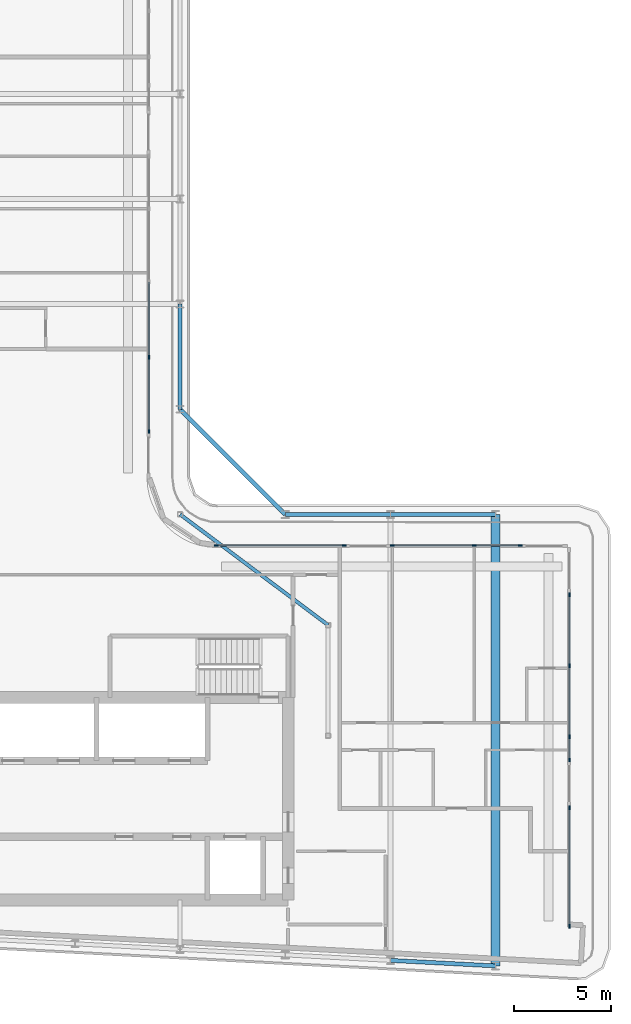
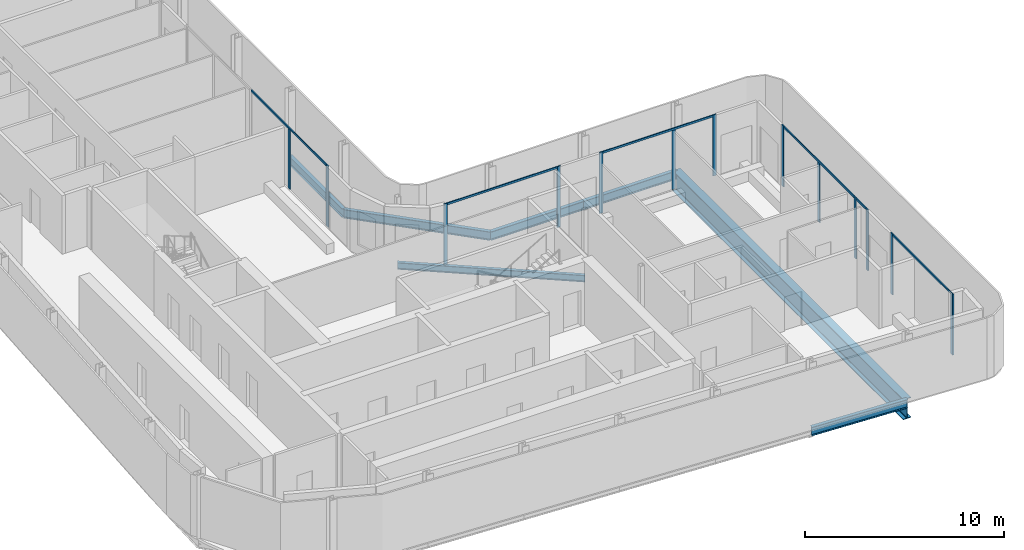
# One storey, part 6 of 21: 19 members, 7 beams, 6 elements without a shape of their own.
"""IFC4 building model written with IfcOpenShell, lengths in metres."""

from ifc_helpers import new_model, si_unit, direction, frame, origin, origin_2d, place, context, subcontext, project, spatial, rectangle, i_section, extrude, material, layer, layer_set, material_profile, profile_set, type_object, element, aggregate, save


model = new_model("IFC4")

# Units and contexts
model_context = context("Model", 3, precision=1e-05, world=origin(), true_north=direction((0.0, 1.0)))
body_context = subcontext(model_context, "Body", "Model", "MODEL_VIEW")
ifc_project = project(units=[si_unit("LENGTHUNIT", "METRE"), si_unit("AREAUNIT", "SQUARE_METRE"), si_unit("VOLUMEUNIT", "CUBIC_METRE"), si_unit("PLANEANGLEUNIT", "RADIAN"), si_unit("MASSUNIT", "GRAM", prefix="KILO")], contexts=[model_context])

# Site, building, storey
site_placement = place(None, origin())
site = spatial("IfcSite", under=ifc_project, at=site_placement, CompositionType="ELEMENT")
building_placement = place(site_placement, origin())
building = spatial("IfcBuilding", under=site, at=building_placement, Name="Kheshtan School and Residences Tower", CompositionType="ELEMENT")
storey_placement = place(building_placement, frame((0.0, 0.0, 309.800048828125)))
storey = spatial("IfcBuildingStorey", under=building, at=storey_placement, Name="L73", CompositionType="ELEMENT", Elevation=309.800048828125)

# Beams
ifc_material_1 = material(Name="Steel ASTM A992 Grade 50", Category="steel")
ifc_material_profile_1 = material_profile(ifc_material_1, i_section(OverallWidth=0.180908203125, OverallDepth=0.4169921875, WebThickness=0.010986328125, FlangeThickness=0.018310546875, FilletRadius=0.012451171875, at=origin_2d()), Name="W410x85")
ifc_profile_set_1 = profile_set([ifc_material_profile_1], Name="Steel ASTM A992 Grade 50")
beam_type_1 = type_object("IfcBeamType", Name="Beam FB3 W410x85 ASTM A992 Grade 50", PredefinedType="BEAM", material=ifc_profile_set_1)
beam_1_placement = place(storey_placement, frame((47.60009765625, 45.60009765625, -0.358642578125), z_axis=(0.800798828004, -0.598933416222, 0.0), x_axis=(0.598933416222, 0.800798828004, 0.0)))
element("IfcBeam", 1, at=beam_1_placement, inside=storey, type_object=beam_type_1, Name="Floor beam IC", PredefinedType="BEAM", context=body_context, shape_type="SweptSolid", body=[
    extrude(i_section(OverallWidth=0.180908203125, OverallDepth=0.4169921875, WebThickness=0.010986328125, FlangeThickness=0.018310546875, FilletRadius=0.012451171875, at=origin_2d()), origin(), (0.0, 0.0, 1.0), 9.490234375),
])
ifc_material_profile_2 = material_profile(ifc_material_1, i_section(OverallWidth=0.208984375, OverallDepth=0.532958984375, WebThickness=0.01025390625, FlangeThickness=0.015625, FilletRadius=0.013916015625, at=origin_2d()), Name="W530x92")
ifc_profile_set_2 = profile_set([ifc_material_profile_2], Name="Steel ASTM A992 Grade 50")
beam_type_2 = type_object("IfcBeamType", Name="Beam SP3 W530x92 ASTM A992 Grade 50", PredefinedType="BEAM", material=ifc_profile_set_2)
beam_2_placement = place(storey_placement, frame((47.60009765625, 56.39990234375, -0.41650390625), z_axis=(0.0, -1.0, 0.0), x_axis=(1.0, 0.0, 0.0)))
element("IfcBeam", 2, at=beam_2_placement, inside=storey, type_object=beam_type_2, Name="Spandrel beam C081-C079", PredefinedType="BEAM", context=body_context, shape_type="SweptSolid", body=[
    extrude(i_section(OverallWidth=0.208984375, OverallDepth=0.532958984375, WebThickness=0.01025390625, FlangeThickness=0.015625, FilletRadius=0.013916015625, at=origin_2d()), origin(), (0.0, 0.0, 1.0), 5.39990234375),
])
beam_3_placement = place(storey_placement, frame((47.60009765625, 51.0, -0.41650390625), z_axis=(0.707106781187, -0.707106781187, 0.0), x_axis=(0.707106781187, 0.707106781187, 0.0)))
element("IfcBeam", 3, at=beam_3_placement, inside=storey, type_object=beam_type_2, Name="Spandrel beam C079-C061", PredefinedType="BEAM", context=body_context, shape_type="SweptSolid", body=[
    extrude(i_section(OverallWidth=0.208984375, OverallDepth=0.532958984375, WebThickness=0.01025390625, FlangeThickness=0.015625, FilletRadius=0.013916015625, at=origin_2d()), origin(), (0.0, 0.0, 1.0), 7.63671875),
])
beam_4_placement = place(storey_placement, frame((53.0, 45.60009765625, -0.41650390625), z_axis=(1.0, 0.0, 0.0), x_axis=(0.0, 1.0, 0.0)))
element("IfcBeam", 4, at=beam_4_placement, inside=storey, type_object=beam_type_2, Name="Spandrel beam C061-C062", PredefinedType="BEAM", context=body_context, shape_type="SweptSolid", body=[
    extrude(i_section(OverallWidth=0.208984375, OverallDepth=0.532958984375, WebThickness=0.01025390625, FlangeThickness=0.015625, FilletRadius=0.013916015625, at=origin_2d()), origin(), (0.0, 0.0, 1.0), 5.39990234375),
])
beam_5_placement = place(storey_placement, frame((58.39990234375, 45.60009765625, -0.41650390625), z_axis=(1.0, 0.0, 0.0), x_axis=(0.0, 1.0, 0.0)))
element("IfcBeam", 5, at=beam_5_placement, inside=storey, type_object=beam_type_2, Name="Spandrel beam C062-C063", PredefinedType="BEAM", context=body_context, shape_type="SweptSolid", body=[
    extrude(i_section(OverallWidth=0.208984375, OverallDepth=0.532958984375, WebThickness=0.01025390625, FlangeThickness=0.015625, FilletRadius=0.013916015625, at=origin_2d()), origin(), (0.0, 0.0, 1.0), 5.400146484375),
])
beam_6_placement = place(storey_placement, frame((63.800048828125, 22.410888671875, -0.41650390625), z_axis=(-0.998618203458, 0.052551724256, 0.0), x_axis=(-0.052551724256, -0.998618203458, 0.0)))
element("IfcBeam", 6, at=beam_6_placement, inside=storey, type_object=beam_type_2, Name="Spandrel beam C016-C018", PredefinedType="BEAM", context=body_context, shape_type="SweptSolid", body=[
    extrude(i_section(OverallWidth=0.208984375, OverallDepth=0.532958984375, WebThickness=0.01025390625, FlangeThickness=0.015625, FilletRadius=0.013916015625, at=origin_2d()), origin(), (0.0, 0.0, 1.0), 5.40771484375),
])

# Curtain wall, members
ifc_material_2 = material(Name="Clear low-e glass in thermally broken aluminium frame", Category="aluminium")
ifc_layer = layer(ifc_material_2, 0.199951171875)
ifc_layer_set = layer_set([ifc_layer], Name="Curtain wall CW-L")
curtain_wall_type = type_object("IfcCurtainWallType", Name="Curtain wall CW-L", PredefinedType="NOTDEFINED", material=ifc_layer_set)
curtain_wall_1_placement = place(storey_placement, origin())
curtain_wall_1 = element("IfcCurtainWall", 7, at=curtain_wall_1_placement, inside=storey, type_object=curtain_wall_type, Name="Curtain wall CWL8", PredefinedType="NOTDEFINED")
ifc_material_3 = material(Name="Thermally broken aluminium, dark bronze anodised", Category="aluminium")
ifc_material_profile_3 = material_profile(ifc_material_3, rectangle(XDim=0.06005859375, YDim=0.199951171875, at=origin_2d()), Name="CW-L mullion 60x200")
ifc_profile_set_3 = profile_set([ifc_material_profile_3], Name="Thermally broken aluminium, dark bronze anodised")
member_type_1 = type_object("IfcMemberType", Name="CW-L mullion 60x200", PredefinedType="MULLION", material=ifc_profile_set_3)
member_1_placement = place(storey_placement, frame((46.0, 53.677001953125, 0.0), z_axis=(0.0, 0.0, 1.0), x_axis=(1.0, 0.0, 0.0)))
member_1 = element("IfcMember", 8, at=member_1_placement, type_object=member_type_1, Name="CWL8 mullion 2", PredefinedType="MULLION", context=body_context, shape_type="SweptSolid", body=[
    extrude(rectangle(XDim=0.06005859375, YDim=0.199951171875, at=origin_2d()), origin(), (0.0, 0.0, 1.0), 3.6298828125),
])
member_2_placement = place(storey_placement, frame((46.0, 49.860107421875, 0.0), z_axis=(0.0, 0.0, 1.0), x_axis=(1.0, 0.0, 0.0)))
member_2 = element("IfcMember", 9, at=member_2_placement, type_object=member_type_1, Name="CWL8 mullion 3", PredefinedType="MULLION", context=body_context, shape_type="SweptSolid", body=[
    extrude(rectangle(XDim=0.06005859375, YDim=0.199951171875, at=origin_2d()), origin(), (0.0, 0.0, 1.0), 3.75),
])

curtain_wall_2_placement = place(storey_placement, origin())
curtain_wall_2 = element("IfcCurtainWall", 10, at=curtain_wall_2_placement, inside=storey, type_object=curtain_wall_type, Name="Curtain wall CWL1233", PredefinedType="NOTDEFINED")
member_3_placement = place(storey_placement, frame((49.4599609375, 44.0, 0.0), z_axis=(0.0, 0.0, 1.0), x_axis=(0.0, 1.0, 0.0)))
member_3 = element("IfcMember", 11, at=member_3_placement, type_object=member_type_1, Name="CWL1233 mullion 1", PredefinedType="MULLION", context=body_context, shape_type="SweptSolid", body=[
    extrude(rectangle(XDim=0.06005859375, YDim=0.199951171875, at=origin_2d()), origin(), (0.0, 0.0, 1.0), 3.75),
])
member_4_placement = place(storey_placement, frame((56.034912109375, 44.0, 0.0), z_axis=(0.0, 0.0, 1.0), x_axis=(0.0, 1.0, 0.0)))
member_4 = element("IfcMember", 12, at=member_4_placement, type_object=member_type_1, Name="CWL1233 mullion 2", PredefinedType="MULLION", context=body_context, shape_type="SweptSolid", body=[
    extrude(rectangle(XDim=0.06005859375, YDim=0.199951171875, at=origin_2d()), origin(), (0.0, 0.0, 1.0), 3.75),
])

curtain_wall_3_placement = place(storey_placement, origin())
curtain_wall_3 = element("IfcCurtainWall", 13, at=curtain_wall_3_placement, inside=storey, type_object=curtain_wall_type, Name="Curtain wall CWL1234", PredefinedType="NOTDEFINED")
member_5_placement = place(storey_placement, frame((58.4951171875, 44.0, 0.0), z_axis=(0.0, 0.0, 1.0), x_axis=(0.0, 1.0, 0.0)))
member_5 = element("IfcMember", 14, at=member_5_placement, type_object=member_type_1, Name="CWL1234 mullion 1", PredefinedType="MULLION", context=body_context, shape_type="SweptSolid", body=[
    extrude(rectangle(XDim=0.06005859375, YDim=0.199951171875, at=origin_2d()), origin(), (0.0, 0.0, 1.0), 3.75),
])
member_6_placement = place(storey_placement, frame((62.699951171875, 44.0, 0.0), z_axis=(0.0, 0.0, 1.0), x_axis=(0.0, 1.0, 0.0)))
member_6 = element("IfcMember", 15, at=member_6_placement, type_object=member_type_1, Name="CWL1234 mullion 2", PredefinedType="MULLION", context=body_context, shape_type="SweptSolid", body=[
    extrude(rectangle(XDim=0.06005859375, YDim=0.199951171875, at=origin_2d()), origin(), (0.0, 0.0, 1.0), 3.6298828125),
])
member_7_placement = place(storey_placement, frame((65.070068359375, 44.0, 0.0), z_axis=(0.0, 0.0, 1.0), x_axis=(0.0, 1.0, 0.0)))
member_7 = element("IfcMember", 16, at=member_7_placement, type_object=member_type_1, Name="CWL1234 mullion 3", PredefinedType="MULLION", context=body_context, shape_type="SweptSolid", body=[
    extrude(rectangle(XDim=0.06005859375, YDim=0.199951171875, at=origin_2d()), origin(), (0.0, 0.0, 1.0), 3.75),
])

curtain_wall_4_placement = place(storey_placement, origin())
curtain_wall_4 = element("IfcCurtainWall", 17, at=curtain_wall_4_placement, inside=storey, type_object=curtain_wall_type, Name="Curtain wall CWL13e", PredefinedType="NOTDEFINED")
member_8_placement = place(storey_placement, frame((67.60009765625, 41.469970703125, 0.0), z_axis=(0.0, 0.0, 1.0), x_axis=(1.0, 0.0, 0.0)))
member_8 = element("IfcMember", 18, at=member_8_placement, type_object=member_type_1, Name="CWL13e mullion 1", PredefinedType="MULLION", context=body_context, shape_type="SweptSolid", body=[
    extrude(rectangle(XDim=0.06005859375, YDim=0.199951171875, at=origin_2d()), origin(), (0.0, 0.0, 1.0), 3.75),
])
member_9_placement = place(storey_placement, frame((67.60009765625, 37.829833984375, 0.0), z_axis=(0.0, 0.0, 1.0), x_axis=(1.0, 0.0, 0.0)))
member_9 = element("IfcMember", 19, at=member_9_placement, type_object=member_type_1, Name="CWL13e mullion 2", PredefinedType="MULLION", context=body_context, shape_type="SweptSolid", body=[
    extrude(rectangle(XDim=0.06005859375, YDim=0.199951171875, at=origin_2d()), origin(), (0.0, 0.0, 1.0), 3.6298828125),
])
member_10_placement = place(storey_placement, frame((67.60009765625, 34.189453125, 0.0), z_axis=(0.0, 0.0, 1.0), x_axis=(1.0, 0.0, 0.0)))
member_10 = element("IfcMember", 20, at=member_10_placement, type_object=member_type_1, Name="CWL13e mullion 3", PredefinedType="MULLION", context=body_context, shape_type="SweptSolid", body=[
    extrude(rectangle(XDim=0.06005859375, YDim=0.199951171875, at=origin_2d()), origin(), (0.0, 0.0, 1.0), 3.75),
])

# Curtain wall, member
curtain_wall_5_placement = place(storey_placement, origin())
curtain_wall_5 = element("IfcCurtainWall", 21, at=curtain_wall_5_placement, inside=storey, type_object=curtain_wall_type, Name="Curtain wall CWL13f", PredefinedType="NOTDEFINED")
member_11_placement = place(storey_placement, frame((67.60009765625, 32.989501953125, 0.0), z_axis=(0.0, 0.0, 1.0), x_axis=(1.0, 0.0, 0.0)))
member_11 = element("IfcMember", 22, at=member_11_placement, type_object=member_type_1, Name="CWL13f mullion 2", PredefinedType="MULLION", context=body_context, shape_type="SweptSolid", body=[
    extrude(rectangle(XDim=0.06005859375, YDim=0.199951171875, at=origin_2d()), origin(), (0.0, 0.0, 1.0), 3.75),
])

# Curtain wall, members
curtain_wall_6_placement = place(storey_placement, origin())
curtain_wall_6 = element("IfcCurtainWall", 23, at=curtain_wall_6_placement, inside=storey, type_object=curtain_wall_type, Name="Curtain wall CWL13g", PredefinedType="NOTDEFINED")
member_12_placement = place(storey_placement, frame((67.60009765625, 30.529541015625, 0.0), z_axis=(0.0, 0.0, 1.0), x_axis=(1.0, 0.0, 0.0)))
member_12 = element("IfcMember", 24, at=member_12_placement, type_object=member_type_1, Name="CWL13g mullion 1", PredefinedType="MULLION", context=body_context, shape_type="SweptSolid", body=[
    extrude(rectangle(XDim=0.06005859375, YDim=0.199951171875, at=origin_2d()), origin(), (0.0, 0.0, 1.0), 3.75),
])
member_13_placement = place(storey_placement, frame((67.60009765625, 24.448974609375, 0.0), z_axis=(0.0, 0.0, 1.0), x_axis=(1.0, 0.0, 0.0)))
member_13 = element("IfcMember", 25, at=member_13_placement, type_object=member_type_1, Name="CWL13g mullion 2", PredefinedType="MULLION", context=body_context, shape_type="SweptSolid", body=[
    extrude(rectangle(XDim=0.06005859375, YDim=0.199951171875, at=origin_2d()), origin(), (0.0, 0.0, 1.0), 3.75),
])

# Member
ifc_material_profile_4 = material_profile(ifc_material_3, rectangle(XDim=0.06005859375, YDim=0.1201171875, at=origin_2d()), Name="CW-L transom 60x120")
ifc_profile_set_4 = profile_set([ifc_material_profile_4], Name="Thermally broken aluminium, dark bronze anodised")
member_type_2 = type_object("IfcMemberType", Name="CW-L transom 60x120", PredefinedType="USERDEFINED", material=ifc_profile_set_4)
member_14_placement = place(storey_placement, frame((46.0, 57.52392578125, 3.68994140625), z_axis=(0.0, -1.0, 0.0), x_axis=(1.0, 0.0, 0.0)))
member_14 = element("IfcMember", 26, at=member_14_placement, type_object=member_type_2, Name="CWL8 transom 1", ObjectType="TRANSOM", PredefinedType="USERDEFINED", context=body_context, shape_type="SweptSolid", body=[
    extrude(rectangle(XDim=0.06005859375, YDim=0.1201171875, at=origin_2d()), origin(), (0.0, 0.0, 1.0), 7.634033203125),
])

aggregate(curtain_wall_1, [member_1, member_2, member_14])

member_15_placement = place(storey_placement, frame((49.489990234375, 44.0, 3.68994140625), z_axis=(1.0, 0.0, 0.0), x_axis=(0.0, 1.0, 0.0)))
member_15 = element("IfcMember", 27, at=member_15_placement, type_object=member_type_2, Name="CWL1233 transom 1", ObjectType="TRANSOM", PredefinedType="USERDEFINED", context=body_context, shape_type="SweptSolid", body=[
    extrude(rectangle(XDim=0.06005859375, YDim=0.1201171875, at=origin_2d()), origin(), (0.0, 0.0, 1.0), 6.514892578125),
])

aggregate(curtain_wall_2, [member_3, member_4, member_15])

member_16_placement = place(storey_placement, frame((58.52490234375, 44.0, 3.68994140625), z_axis=(1.0, 0.0, 0.0), x_axis=(0.0, 1.0, 0.0)))
member_16 = element("IfcMember", 28, at=member_16_placement, type_object=member_type_2, Name="CWL1234 transom 1", ObjectType="TRANSOM", PredefinedType="USERDEFINED", context=body_context, shape_type="SweptSolid", body=[
    extrude(rectangle(XDim=0.06005859375, YDim=0.1201171875, at=origin_2d()), origin(), (0.0, 0.0, 1.0), 6.51513671875),
])

aggregate(curtain_wall_3, [member_5, member_6, member_7, member_16])

member_17_placement = place(storey_placement, frame((67.60009765625, 41.43994140625, 3.68994140625), z_axis=(0.0, -1.0, 0.0), x_axis=(1.0, 0.0, 0.0)))
member_17 = element("IfcMember", 29, at=member_17_placement, type_object=member_type_2, Name="CWL13e transom 1", ObjectType="TRANSOM", PredefinedType="USERDEFINED", context=body_context, shape_type="SweptSolid", body=[
    extrude(rectangle(XDim=0.06005859375, YDim=0.1201171875, at=origin_2d()), origin(), (0.0, 0.0, 1.0), 7.220458984375),
])

aggregate(curtain_wall_4, [member_8, member_9, member_10, member_17])

member_18_placement = place(storey_placement, frame((67.60009765625, 34.159423828125, 3.68994140625), z_axis=(0.0, -1.0, 0.0), x_axis=(1.0, 0.0, 0.0)))
member_18 = element("IfcMember", 30, at=member_18_placement, type_object=member_type_2, Name="CWL13f transom 1", ObjectType="TRANSOM", PredefinedType="USERDEFINED", context=body_context, shape_type="SweptSolid", body=[
    extrude(rectangle(XDim=0.06005859375, YDim=0.1201171875, at=origin_2d()), origin(), (0.0, 0.0, 1.0), 1.139892578125),
])

aggregate(curtain_wall_5, [member_11, member_18])

member_19_placement = place(storey_placement, frame((67.60009765625, 30.49951171875, 3.68994140625), z_axis=(0.0, -1.0, 0.0), x_axis=(1.0, 0.0, 0.0)))
member_19 = element("IfcMember", 31, at=member_19_placement, type_object=member_type_2, Name="CWL13g transom 1", ObjectType="TRANSOM", PredefinedType="USERDEFINED", context=body_context, shape_type="SweptSolid", body=[
    extrude(rectangle(XDim=0.06005859375, YDim=0.1201171875, at=origin_2d()), origin(), (0.0, 0.0, 1.0), 6.0205078125),
])

aggregate(curtain_wall_6, [member_12, member_13, member_19])

# Beam
ifc_material_profile_5 = material_profile(ifc_material_1, i_section(OverallWidth=0.449951171875, OverallDepth=1.25, WebThickness=0.02490234375, FlangeThickness=0.044921875, FilletRadius=0.03759765625, at=origin_2d()), Name="WWF1250x546")
ifc_profile_set_5 = profile_set([ifc_material_profile_5], Name="Steel ASTM A992 Grade 50")
beam_type_3 = type_object("IfcBeamType", Name="Transfer girder TG4 WWF1250x546 ASTM A992 Grade 50", PredefinedType="BEAM", material=ifc_profile_set_5)
beam_7_placement = place(storey_placement, frame((63.800048828125, 45.60009765625, -0.775146484375), z_axis=(0.0, -1.0, 0.0), x_axis=(1.0, 0.0, 0.0)))
element("IfcBeam", 32, at=beam_7_placement, inside=storey, type_object=beam_type_3, Name="Transfer girder C063-C016", PredefinedType="BEAM", context=body_context, shape_type="SweptSolid", body=[
    extrude(i_section(OverallWidth=0.449951171875, OverallDepth=1.25, WebThickness=0.02490234375, FlangeThickness=0.044921875, FilletRadius=0.03759765625, at=origin_2d()), origin(), (0.0, 0.0, 1.0), 23.189208984375),
])

save(model, "model.ifc")
